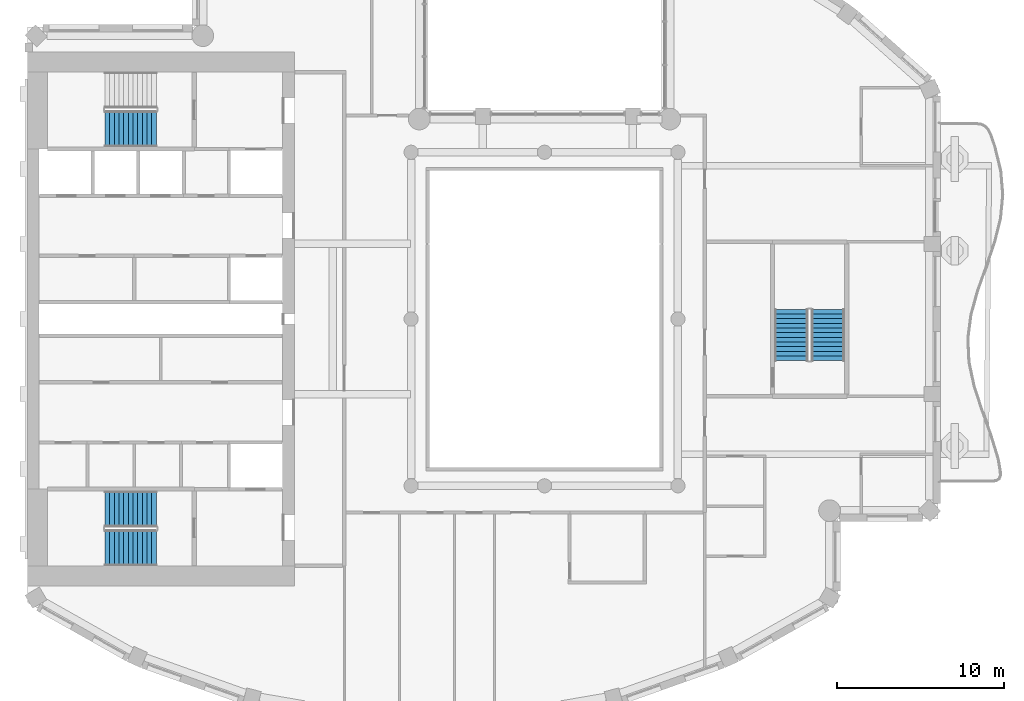
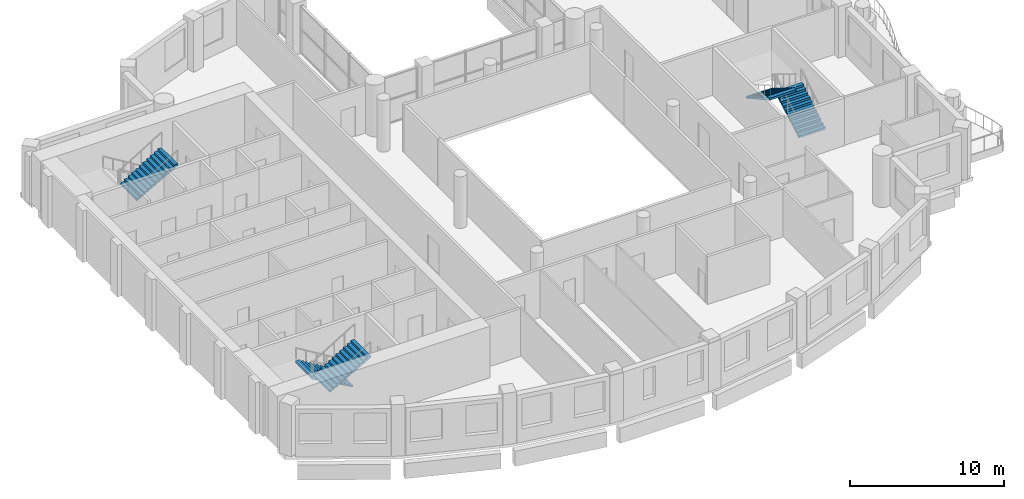
# One storey, part 8 of 14: 5 stair flights, 3 elements without a shape of their own.
"""IFC4 building model written with IfcOpenShell, lengths in metres."""

from ifc_helpers import new_model, si_unit, direction, frame, origin, place, context, subcontext, project, spatial, triangles, material, type_object, element, aggregate, save


model = new_model("IFC4")

# Units and contexts
model_context = context("Model", 3, precision=1e-05, world=origin(), true_north=direction((0.0, 1.0)))
body_context = subcontext(model_context, "Body", "Model", "MODEL_VIEW")
ifc_project = project(units=[si_unit("LENGTHUNIT", "METRE"), si_unit("AREAUNIT", "SQUARE_METRE"), si_unit("VOLUMEUNIT", "CUBIC_METRE"), si_unit("PLANEANGLEUNIT", "RADIAN"), si_unit("MASSUNIT", "GRAM", prefix="KILO")], contexts=[model_context])

# Site, building, storey
site_placement = place(None, origin())
site = spatial("IfcSite", under=ifc_project, at=site_placement, CompositionType="ELEMENT")
building_placement = place(site_placement, origin())
building = spatial("IfcBuilding", under=site, at=building_placement, Name="Cypress Arch Tower", CompositionType="ELEMENT")
storey_placement = place(building_placement, frame((0.0, 0.0, 296.699951171875)))
storey = spatial("IfcBuildingStorey", under=building, at=storey_placement, Name="L67", CompositionType="ELEMENT", Elevation=296.699951171875)

# Stair, stair flights
ifc_material_1 = material(Name="Concrete C40/50", Category="concrete")
stair_type_1 = type_object("IfcStairType", Name="Exit stair ES1708-200", PredefinedType="HALF_TURN_STAIR", material=ifc_material_1)
stair_1_placement = place(storey_placement, origin())
stair_1 = element("IfcStair", 1, at=stair_1_placement, inside=storey, type_object=stair_type_1, Name="L67 Exit stair C", PredefinedType="HALF_TURN_STAIR")
ifc_material_2 = material(Name="Concrete C40/50", Category="concrete")
stair_flight_type_1 = type_object("IfcStairFlightType", Name="Exit stair flight ES1708-200", PredefinedType="STRAIGHT", material=ifc_material_2)
stair_flight_1_placement = place(storey_placement, frame((18.0, -2.5, 0.0), z_axis=(0.0, 0.0, 1.0), x_axis=(0.0, 1.0, 0.0)))
stair_flight_1 = element("IfcStairFlight", 2, at=stair_flight_1_placement, type_object=stair_flight_type_1, Name="C flight 1", NumberOfRisers=12, NumberOfTreads=11, PredefinedType="STRAIGHT", RiserHeight=0.170833333, TreadLength=0.28, context=body_context, shape_type="Tessellation", body=[
    triangles([(0.0, -1.0, 0.0), (0.0, -1.0, 0.1708984375), (0.280029296875, -1.0, 0.1708984375), (0.280029296875, -1.0, 0.341552734375), (0.56005859375, -1.0, 0.341552734375), (0.56005859375, -1.0, 0.512451171875), (0.840087890625, -1.0, 0.512451171875), (0.840087890625, -1.0, 0.683349609375), (1.1201171875, -1.0, 0.683349609375), (1.1201171875, -1.0, 0.854248046875), (1.39990234375, -1.0, 0.854248046875), (1.39990234375, -1.0, 1.02490234375), (1.679931640625, -1.0, 1.02490234375), (1.679931640625, -1.0, 1.19580078125), (1.9599609375, -1.0, 1.19580078125), (1.9599609375, -1.0, 1.36669921875), (2.239990234375, -1.0, 1.36669921875), (2.239990234375, -1.0, 1.53759765625), (2.52001953125, -1.0, 1.53759765625), (2.52001953125, -1.0, 1.708251953125), (2.800048828125, -1.0, 1.708251953125), (2.800048828125, -1.0, 1.879150390625), (3.080078125, -1.0, 1.879150390625), (3.080078125, -1.0, 1.70361328125), (3.080078125, 1.0, 1.70361328125), (3.080078125, 1.0, 1.879150390625), (2.800048828125, 1.0, 1.879150390625), (2.800048828125, 1.0, 1.708251953125), (2.52001953125, 1.0, 1.708251953125), (2.52001953125, 1.0, 1.53759765625), (2.239990234375, 1.0, 1.53759765625), (2.239990234375, 1.0, 1.36669921875), (1.9599609375, 1.0, 1.36669921875), (1.9599609375, 1.0, 1.19580078125), (1.679931640625, 1.0, 1.19580078125), (1.679931640625, 1.0, 1.02490234375), (1.39990234375, 1.0, 1.02490234375), (1.39990234375, 1.0, 0.854248046875), (1.1201171875, 1.0, 0.854248046875), (1.1201171875, 1.0, 0.683349609375), (0.840087890625, 1.0, 0.683349609375), (0.840087890625, 1.0, 0.512451171875), (0.56005859375, 1.0, 0.512451171875), (0.56005859375, 1.0, 0.341552734375), (0.280029296875, 1.0, 0.341552734375), (0.280029296875, 1.0, 0.1708984375), (0.0, 1.0, 0.1708984375), (0.0, 1.0, 0.0), (3.080078125, 0.0, 1.879150390625), (3.080078125, 0.0, 1.70361328125), (2.800048828125, 0.0, 1.879150390625), (2.800048828125, 0.0, 1.708251953125), (2.52001953125, 0.0, 1.708251953125), (2.52001953125, 0.0, 1.53759765625), (2.239990234375, 0.0, 1.53759765625), (2.239990234375, 0.0, 1.36669921875), (1.9599609375, 0.0, 1.36669921875), (1.9599609375, 0.0, 1.19580078125), (1.679931640625, 0.0, 1.19580078125), (1.679931640625, 0.0, 1.02490234375), (1.39990234375, 0.0, 1.02490234375), (1.39990234375, 0.0, 0.854248046875), (1.1201171875, 0.0, 0.854248046875), (1.1201171875, 0.0, 0.683349609375), (0.840087890625, 0.0, 0.683349609375), (0.840087890625, 0.0, 0.512451171875), (0.56005859375, 0.0, 0.512451171875), (0.56005859375, 0.0, 0.341552734375), (0.280029296875, 0.0, 0.341552734375), (0.280029296875, 0.0, 0.1708984375), (0.0, 0.0, 0.1708984375), (0.0, 0.0, 0.0)], [[24, 23, 22], [11, 10, 9], [19, 18, 17], [17, 16, 15], [15, 14, 13], [9, 8, 7], [7, 6, 5], [3, 2, 1], [21, 20, 19], [13, 12, 11], [5, 4, 3], [24, 22, 21], [24, 21, 19], [24, 19, 17], [24, 17, 15], [24, 15, 13], [24, 13, 11], [24, 11, 9], [24, 9, 7], [24, 7, 5], [1, 24, 5], [5, 3, 1], [25, 27, 26], [38, 40, 39], [30, 32, 31], [32, 34, 33], [34, 36, 35], [40, 42, 41], [42, 44, 43], [46, 48, 47], [28, 30, 29], [36, 38, 37], [44, 46, 45], [25, 28, 27], [25, 30, 28], [25, 32, 30], [25, 34, 32], [25, 36, 34], [25, 38, 36], [25, 40, 38], [25, 42, 40], [25, 44, 42], [48, 44, 25], [44, 48, 46], [50, 49, 23], [50, 23, 24], [25, 26, 49], [25, 49, 50], [49, 51, 22], [49, 22, 23], [26, 27, 51], [26, 51, 49], [51, 52, 21], [51, 21, 22], [27, 28, 52], [27, 52, 51], [52, 53, 20], [52, 20, 21], [28, 29, 53], [28, 53, 52], [53, 54, 19], [53, 19, 20], [29, 30, 54], [29, 54, 53], [54, 55, 18], [54, 18, 19], [30, 31, 55], [30, 55, 54], [55, 56, 17], [55, 17, 18], [31, 32, 56], [31, 56, 55], [56, 57, 16], [56, 16, 17], [32, 33, 57], [32, 57, 56], [57, 58, 15], [57, 15, 16], [33, 34, 58], [33, 58, 57], [58, 59, 14], [58, 14, 15], [34, 35, 59], [34, 59, 58], [59, 60, 13], [59, 13, 14], [35, 36, 60], [35, 60, 59], [60, 61, 12], [60, 12, 13], [36, 37, 61], [36, 61, 60], [61, 62, 11], [61, 11, 12], [37, 38, 62], [37, 62, 61], [62, 63, 10], [62, 10, 11], [38, 39, 63], [38, 63, 62], [63, 64, 9], [63, 9, 10], [39, 40, 64], [39, 64, 63], [64, 65, 8], [64, 8, 9], [40, 41, 65], [40, 65, 64], [65, 66, 7], [65, 7, 8], [41, 42, 66], [41, 66, 65], [66, 67, 6], [66, 6, 7], [42, 43, 67], [42, 67, 66], [67, 68, 5], [67, 5, 6], [43, 44, 68], [43, 68, 67], [68, 69, 4], [68, 4, 5], [44, 45, 69], [44, 69, 68], [69, 70, 3], [69, 3, 4], [45, 46, 70], [45, 70, 69], [70, 71, 2], [70, 2, 3], [46, 47, 71], [46, 71, 70], [71, 72, 1], [71, 1, 2], [47, 48, 72], [47, 72, 71], [72, 50, 24], [72, 24, 1], [48, 25, 50], [48, 50, 72]], closed=True),
])
stair_flight_2_placement = place(storey_placement, frame((15.800048828125, 0.580078125, 2.050048828125), z_axis=(0.0, 0.0, 1.0), x_axis=(0.0, -1.0, 0.0)))
stair_flight_2 = element("IfcStairFlight", 3, at=stair_flight_2_placement, type_object=stair_flight_type_1, Name="C flight 2", NumberOfRisers=12, NumberOfTreads=11, PredefinedType="STRAIGHT", RiserHeight=0.170833333, TreadLength=0.28, context=body_context, shape_type="Tessellation", body=[
    triangles([(0.0, -1.0, 0.0), (0.0, -1.0, 0.1708984375), (0.280029296875, -1.0, 0.1708984375), (0.280029296875, -1.0, 0.341552734375), (0.56005859375, -1.0, 0.341552734375), (0.56005859375, -1.0, 0.512451171875), (0.840087890625, -1.0, 0.512451171875), (0.840087890625, -1.0, 0.683349609375), (1.1201171875, -1.0, 0.683349609375), (1.1201171875, -1.0, 0.854248046875), (1.39990234375, -1.0, 0.854248046875), (1.39990234375, -1.0, 1.02490234375), (1.679931640625, -1.0, 1.02490234375), (1.679931640625, -1.0, 1.19580078125), (1.9599609375, -1.0, 1.19580078125), (1.9599609375, -1.0, 1.36669921875), (2.239990234375, -1.0, 1.36669921875), (2.239990234375, -1.0, 1.53759765625), (2.52001953125, -1.0, 1.53759765625), (2.52001953125, -1.0, 1.708251953125), (2.800048828125, -1.0, 1.708251953125), (2.800048828125, -1.0, 1.879150390625), (3.080078125, -1.0, 1.879150390625), (3.080078125, -1.0, 1.70361328125), (3.080078125, 1.0, 1.70361328125), (3.080078125, 1.0, 1.879150390625), (2.800048828125, 1.0, 1.879150390625), (2.800048828125, 1.0, 1.708251953125), (2.52001953125, 1.0, 1.708251953125), (2.52001953125, 1.0, 1.53759765625), (2.239990234375, 1.0, 1.53759765625), (2.239990234375, 1.0, 1.36669921875), (1.9599609375, 1.0, 1.36669921875), (1.9599609375, 1.0, 1.19580078125), (1.679931640625, 1.0, 1.19580078125), (1.679931640625, 1.0, 1.02490234375), (1.39990234375, 1.0, 1.02490234375), (1.39990234375, 1.0, 0.854248046875), (1.1201171875, 1.0, 0.854248046875), (1.1201171875, 1.0, 0.683349609375), (0.840087890625, 1.0, 0.683349609375), (0.840087890625, 1.0, 0.512451171875), (0.56005859375, 1.0, 0.512451171875), (0.56005859375, 1.0, 0.341552734375), (0.280029296875, 1.0, 0.341552734375), (0.280029296875, 1.0, 0.1708984375), (0.0, 1.0, 0.1708984375), (0.0, 1.0, 0.0), (3.080078125, 0.0, 1.879150390625), (3.080078125, 0.0, 1.70361328125), (2.800048828125, 0.0, 1.879150390625), (2.800048828125, 0.0, 1.708251953125), (2.52001953125, 0.0, 1.708251953125), (2.52001953125, 0.0, 1.53759765625), (2.239990234375, 0.0, 1.53759765625), (2.239990234375, 0.0, 1.36669921875), (1.9599609375, 0.0, 1.36669921875), (1.9599609375, 0.0, 1.19580078125), (1.679931640625, 0.0, 1.19580078125), (1.679931640625, 0.0, 1.02490234375), (1.39990234375, 0.0, 1.02490234375), (1.39990234375, 0.0, 0.854248046875), (1.1201171875, 0.0, 0.854248046875), (1.1201171875, 0.0, 0.683349609375), (0.840087890625, 0.0, 0.683349609375), (0.840087890625, 0.0, 0.512451171875), (0.56005859375, 0.0, 0.512451171875), (0.56005859375, 0.0, 0.341552734375), (0.280029296875, 0.0, 0.341552734375), (0.280029296875, 0.0, 0.1708984375), (0.0, 0.0, 0.1708984375), (0.0, 0.0, 0.0)], [[24, 23, 22], [11, 10, 9], [19, 18, 17], [17, 16, 15], [15, 14, 13], [9, 8, 7], [7, 6, 5], [3, 2, 1], [21, 20, 19], [13, 12, 11], [5, 4, 3], [24, 22, 21], [24, 21, 19], [24, 19, 17], [24, 17, 15], [24, 15, 13], [24, 13, 11], [24, 11, 9], [24, 9, 7], [24, 7, 5], [1, 24, 5], [5, 3, 1], [25, 27, 26], [38, 40, 39], [30, 32, 31], [32, 34, 33], [34, 36, 35], [40, 42, 41], [42, 44, 43], [46, 48, 47], [28, 30, 29], [36, 38, 37], [44, 46, 45], [25, 28, 27], [25, 30, 28], [25, 32, 30], [25, 34, 32], [25, 36, 34], [25, 38, 36], [25, 40, 38], [25, 42, 40], [25, 44, 42], [48, 44, 25], [44, 48, 46], [50, 49, 23], [50, 23, 24], [25, 26, 49], [25, 49, 50], [49, 51, 22], [49, 22, 23], [26, 27, 51], [26, 51, 49], [51, 52, 21], [51, 21, 22], [27, 28, 52], [27, 52, 51], [52, 53, 20], [52, 20, 21], [28, 29, 53], [28, 53, 52], [53, 54, 19], [53, 19, 20], [29, 30, 54], [29, 54, 53], [54, 55, 18], [54, 18, 19], [30, 31, 55], [30, 55, 54], [55, 56, 17], [55, 17, 18], [31, 32, 56], [31, 56, 55], [56, 57, 16], [56, 16, 17], [32, 33, 57], [32, 57, 56], [57, 58, 15], [57, 15, 16], [33, 34, 58], [33, 58, 57], [58, 59, 14], [58, 14, 15], [34, 35, 59], [34, 59, 58], [59, 60, 13], [59, 13, 14], [35, 36, 60], [35, 60, 59], [60, 61, 12], [60, 12, 13], [36, 37, 61], [36, 61, 60], [61, 62, 11], [61, 11, 12], [37, 38, 62], [37, 62, 61], [62, 63, 10], [62, 10, 11], [38, 39, 63], [38, 63, 62], [63, 64, 9], [63, 9, 10], [39, 40, 64], [39, 64, 63], [64, 65, 8], [64, 8, 9], [40, 41, 65], [40, 65, 64], [65, 66, 7], [65, 7, 8], [41, 42, 66], [41, 66, 65], [66, 67, 6], [66, 6, 7], [42, 43, 67], [42, 67, 66], [67, 68, 5], [67, 5, 6], [43, 44, 68], [43, 68, 67], [68, 69, 4], [68, 4, 5], [44, 45, 69], [44, 69, 68], [69, 70, 3], [69, 3, 4], [45, 46, 70], [45, 70, 69], [70, 71, 2], [70, 2, 3], [46, 47, 71], [46, 71, 70], [71, 72, 1], [71, 1, 2], [47, 48, 72], [47, 72, 71], [72, 50, 24], [72, 24, 1], [48, 25, 50], [48, 50, 72]], closed=True),
])
aggregate(stair_1, [stair_flight_1, stair_flight_2])

ifc_material_3 = material(Name="Concrete C40/50", Category="concrete")
stair_type_2 = type_object("IfcStairType", Name="Exit stair ES1708-215", PredefinedType="HALF_TURN_STAIR", material=ifc_material_3)
stair_2_placement = place(storey_placement, origin())
stair_2 = element("IfcStair", 4, at=stair_2_placement, inside=storey, type_object=stair_type_2, Name="L67 Exit stair A", PredefinedType="HALF_TURN_STAIR")
ifc_material_4 = material(Name="Concrete C40/50", Category="concrete")
stair_flight_type_2 = type_object("IfcStairFlightType", Name="Exit stair flight ES1708-215", PredefinedType="STRAIGHT", material=ifc_material_4)
stair_flight_3_placement = place(storey_placement, frame((-22.27490234375, -11.39990234375, 0.0), z_axis=(0.0, 0.0, 1.0), x_axis=(-1.0, 0.0, 0.0)))
stair_flight_3 = element("IfcStairFlight", 5, at=stair_flight_3_placement, type_object=stair_flight_type_2, Name="A flight 1", NumberOfRisers=12, NumberOfTreads=11, PredefinedType="STRAIGHT", RiserHeight=0.170833333, TreadLength=0.28, context=body_context, shape_type="Tessellation", body=[
    triangles([(0.0, -1.074951171875, 0.0), (0.000244140625, -1.074951171875, 0.01904296875), (0.000244140625, -1.074951171875, 0.0380859375), (0.00048828125, -1.074951171875, 0.056884765625), (0.00048828125, -1.074951171875, 0.075927734375), (0.00048828125, -1.074951171875, 0.094970703125), (0.00048828125, -1.074951171875, 0.114013671875), (0.000244140625, -1.074951171875, 0.1328125), (0.000244140625, -1.074951171875, 0.15185546875), (0.0, -1.074951171875, 0.1708984375), (0.280029296875, -1.074951171875, 0.1708984375), (0.280029296875, -1.074951171875, 0.341552734375), (0.56005859375, -1.074951171875, 0.341552734375), (0.56005859375, -1.074951171875, 0.512451171875), (0.840087890625, -1.074951171875, 0.512451171875), (0.840087890625, -1.074951171875, 0.683349609375), (1.1201171875, -1.074951171875, 0.683349609375), (1.1201171875, -1.074951171875, 0.854248046875), (1.39990234375, -1.074951171875, 0.854248046875), (1.39990234375, -1.074951171875, 1.02490234375), (1.679931640625, -1.074951171875, 1.02490234375), (1.679931640625, -1.074951171875, 1.19580078125), (1.9599609375, -1.074951171875, 1.19580078125), (1.9599609375, -1.074951171875, 1.36669921875), (2.239990234375, -1.074951171875, 1.36669921875), (2.239990234375, -1.074951171875, 1.53759765625), (2.52001953125, -1.074951171875, 1.53759765625), (2.52001953125, -1.074951171875, 1.708251953125), (2.800048828125, -1.074951171875, 1.708251953125), (2.800048828125, -1.074951171875, 1.879150390625), (3.080078125, -1.074951171875, 1.879150390625), (3.079833984375, -1.074951171875, 1.859619140625), (3.079833984375, -1.074951171875, 1.840087890625), (3.07958984375, -1.074951171875, 1.820556640625), (3.07958984375, -1.074951171875, 1.801025390625), (3.07958984375, -1.074951171875, 1.78173828125), (3.07958984375, -1.074951171875, 1.76220703125), (3.079833984375, -1.074951171875, 1.74267578125), (3.079833984375, -1.074951171875, 1.72314453125), (3.080078125, -1.074951171875, 1.70361328125), (3.080078125, 1.074951171875, 1.70361328125), (3.079833984375, 1.074951171875, 1.72314453125), (3.079833984375, 1.074951171875, 1.74267578125), (3.07958984375, 1.074951171875, 1.76220703125), (3.07958984375, 1.074951171875, 1.78173828125), (3.07958984375, 1.074951171875, 1.801025390625), (3.07958984375, 1.074951171875, 1.820556640625), (3.079833984375, 1.074951171875, 1.840087890625), (3.079833984375, 1.074951171875, 1.859619140625), (3.080078125, 1.074951171875, 1.879150390625), (2.800048828125, 1.074951171875, 1.879150390625), (2.800048828125, 1.074951171875, 1.708251953125), (2.52001953125, 1.074951171875, 1.708251953125), (2.52001953125, 1.074951171875, 1.53759765625), (2.239990234375, 1.074951171875, 1.53759765625), (2.239990234375, 1.074951171875, 1.36669921875), (1.9599609375, 1.074951171875, 1.36669921875), (1.9599609375, 1.074951171875, 1.19580078125), (1.679931640625, 1.074951171875, 1.19580078125), (1.679931640625, 1.074951171875, 1.02490234375), (1.39990234375, 1.074951171875, 1.02490234375), (1.39990234375, 1.074951171875, 0.854248046875), (1.1201171875, 1.074951171875, 0.854248046875), (1.1201171875, 1.074951171875, 0.683349609375), (0.840087890625, 1.074951171875, 0.683349609375), (0.840087890625, 1.074951171875, 0.512451171875), (0.56005859375, 1.074951171875, 0.512451171875), (0.56005859375, 1.074951171875, 0.341552734375), (0.280029296875, 1.074951171875, 0.341552734375), (0.280029296875, 1.074951171875, 0.1708984375), (0.0, 1.074951171875, 0.1708984375), (0.000244140625, 1.074951171875, 0.15185546875), (0.000244140625, 1.074951171875, 0.1328125), (0.00048828125, 1.074951171875, 0.114013671875), (0.00048828125, 1.074951171875, 0.094970703125), (0.00048828125, 1.074951171875, 0.075927734375), (0.00048828125, 1.074951171875, 0.056884765625), (0.000244140625, 1.074951171875, 0.0380859375), (0.000244140625, 1.074951171875, 0.01904296875), (0.0, 1.074951171875, 0.0)], [[40, 39, 30], [39, 38, 30], [38, 37, 30], [37, 36, 30], [36, 35, 30], [35, 34, 30], [34, 33, 30], [33, 32, 30], [32, 31, 30], [19, 18, 17], [27, 26, 25], [25, 24, 23], [23, 22, 21], [17, 16, 15], [15, 14, 13], [10, 9, 11], [9, 8, 11], [8, 7, 11], [7, 6, 11], [6, 5, 11], [5, 4, 11], [4, 3, 11], [3, 2, 11], [2, 1, 11], [29, 28, 27], [21, 20, 19], [13, 12, 11], [40, 30, 29], [40, 29, 27], [40, 27, 25], [40, 25, 23], [40, 23, 21], [40, 21, 19], [40, 19, 17], [40, 17, 15], [40, 15, 13], [1, 40, 13], [13, 11, 1], [41, 51, 42], [42, 51, 43], [43, 51, 44], [44, 51, 45], [45, 51, 46], [46, 51, 47], [47, 51, 48], [48, 51, 49], [49, 51, 50], [62, 64, 63], [54, 56, 55], [56, 58, 57], [58, 60, 59], [64, 66, 65], [66, 68, 67], [71, 70, 72], [72, 70, 73], [73, 70, 74], [74, 70, 75], [75, 70, 76], [76, 70, 77], [77, 70, 78], [78, 70, 79], [79, 70, 80], [52, 54, 53], [60, 62, 61], [68, 70, 69], [41, 52, 51], [41, 54, 52], [41, 56, 54], [41, 58, 56], [41, 60, 58], [41, 62, 60], [41, 64, 62], [41, 66, 64], [41, 68, 66], [80, 68, 41], [68, 80, 70], [41, 42, 39], [41, 39, 40], [42, 43, 38], [42, 38, 39], [43, 44, 37], [43, 37, 38], [44, 45, 36], [44, 36, 37], [45, 46, 35], [45, 35, 36], [46, 47, 34], [46, 34, 35], [47, 48, 33], [47, 33, 34], [48, 49, 32], [48, 32, 33], [49, 50, 31], [49, 31, 32], [50, 51, 30], [50, 30, 31], [51, 52, 29], [51, 29, 30], [52, 53, 28], [52, 28, 29], [53, 54, 27], [53, 27, 28], [54, 55, 26], [54, 26, 27], [55, 56, 25], [55, 25, 26], [56, 57, 24], [56, 24, 25], [57, 58, 23], [57, 23, 24], [58, 59, 22], [58, 22, 23], [59, 60, 21], [59, 21, 22], [60, 61, 20], [60, 20, 21], [61, 62, 19], [61, 19, 20], [62, 63, 18], [62, 18, 19], [63, 64, 17], [63, 17, 18], [64, 65, 16], [64, 16, 17], [65, 66, 15], [65, 15, 16], [66, 67, 14], [66, 14, 15], [67, 68, 13], [67, 13, 14], [68, 69, 12], [68, 12, 13], [69, 70, 11], [69, 11, 12], [70, 71, 10], [70, 10, 11], [71, 72, 9], [71, 9, 10], [72, 73, 8], [72, 8, 9], [73, 74, 7], [73, 7, 8], [74, 75, 6], [74, 6, 7], [75, 76, 5], [75, 5, 6], [76, 77, 4], [76, 4, 5], [77, 78, 3], [77, 3, 4], [78, 79, 2], [78, 2, 3], [79, 80, 1], [79, 1, 2], [80, 41, 40], [80, 40, 1]], closed=True),
])
stair_flight_4_placement = place(storey_placement, frame((-25.35498046875, -13.72509765625, 2.050048828125), z_axis=(0.0, 0.0, 1.0), x_axis=(1.0, 0.0, 0.0)))
stair_flight_4 = element("IfcStairFlight", 6, at=stair_flight_4_placement, type_object=stair_flight_type_2, Name="A flight 2", NumberOfRisers=12, NumberOfTreads=11, PredefinedType="STRAIGHT", RiserHeight=0.170833333, TreadLength=0.28, context=body_context, shape_type="Tessellation", body=[
    triangles([(0.0, -1.074951171875, 0.0), (0.000244140625, -1.074951171875, 0.01904296875), (0.000244140625, -1.074951171875, 0.0380859375), (0.00048828125, -1.074951171875, 0.056884765625), (0.00048828125, -1.074951171875, 0.075927734375), (0.00048828125, -1.074951171875, 0.094970703125), (0.00048828125, -1.074951171875, 0.114013671875), (0.000244140625, -1.074951171875, 0.1328125), (0.000244140625, -1.074951171875, 0.15185546875), (0.0, -1.074951171875, 0.1708984375), (0.280029296875, -1.074951171875, 0.1708984375), (0.280029296875, -1.074951171875, 0.341552734375), (0.56005859375, -1.074951171875, 0.341552734375), (0.56005859375, -1.074951171875, 0.512451171875), (0.840087890625, -1.074951171875, 0.512451171875), (0.840087890625, -1.074951171875, 0.683349609375), (1.1201171875, -1.074951171875, 0.683349609375), (1.1201171875, -1.074951171875, 0.854248046875), (1.39990234375, -1.074951171875, 0.854248046875), (1.39990234375, -1.074951171875, 1.02490234375), (1.679931640625, -1.074951171875, 1.02490234375), (1.679931640625, -1.074951171875, 1.19580078125), (1.9599609375, -1.074951171875, 1.19580078125), (1.9599609375, -1.074951171875, 1.36669921875), (2.239990234375, -1.074951171875, 1.36669921875), (2.239990234375, -1.074951171875, 1.53759765625), (2.52001953125, -1.074951171875, 1.53759765625), (2.52001953125, -1.074951171875, 1.708251953125), (2.800048828125, -1.074951171875, 1.708251953125), (2.800048828125, -1.074951171875, 1.879150390625), (3.080078125, -1.074951171875, 1.879150390625), (3.079833984375, -1.074951171875, 1.859619140625), (3.079833984375, -1.074951171875, 1.840087890625), (3.07958984375, -1.074951171875, 1.820556640625), (3.07958984375, -1.074951171875, 1.801025390625), (3.07958984375, -1.074951171875, 1.78173828125), (3.07958984375, -1.074951171875, 1.76220703125), (3.079833984375, -1.074951171875, 1.74267578125), (3.079833984375, -1.074951171875, 1.72314453125), (3.080078125, -1.074951171875, 1.70361328125), (3.080078125, 1.074951171875, 1.70361328125), (3.079833984375, 1.074951171875, 1.72314453125), (3.079833984375, 1.074951171875, 1.74267578125), (3.07958984375, 1.074951171875, 1.76220703125), (3.07958984375, 1.074951171875, 1.78173828125), (3.07958984375, 1.074951171875, 1.801025390625), (3.07958984375, 1.074951171875, 1.820556640625), (3.079833984375, 1.074951171875, 1.840087890625), (3.079833984375, 1.074951171875, 1.859619140625), (3.080078125, 1.074951171875, 1.879150390625), (2.800048828125, 1.074951171875, 1.879150390625), (2.800048828125, 1.074951171875, 1.708251953125), (2.52001953125, 1.074951171875, 1.708251953125), (2.52001953125, 1.074951171875, 1.53759765625), (2.239990234375, 1.074951171875, 1.53759765625), (2.239990234375, 1.074951171875, 1.36669921875), (1.9599609375, 1.074951171875, 1.36669921875), (1.9599609375, 1.074951171875, 1.19580078125), (1.679931640625, 1.074951171875, 1.19580078125), (1.679931640625, 1.074951171875, 1.02490234375), (1.39990234375, 1.074951171875, 1.02490234375), (1.39990234375, 1.074951171875, 0.854248046875), (1.1201171875, 1.074951171875, 0.854248046875), (1.1201171875, 1.074951171875, 0.683349609375), (0.840087890625, 1.074951171875, 0.683349609375), (0.840087890625, 1.074951171875, 0.512451171875), (0.56005859375, 1.074951171875, 0.512451171875), (0.56005859375, 1.074951171875, 0.341552734375), (0.280029296875, 1.074951171875, 0.341552734375), (0.280029296875, 1.074951171875, 0.1708984375), (0.0, 1.074951171875, 0.1708984375), (0.000244140625, 1.074951171875, 0.15185546875), (0.000244140625, 1.074951171875, 0.1328125), (0.00048828125, 1.074951171875, 0.114013671875), (0.00048828125, 1.074951171875, 0.094970703125), (0.00048828125, 1.074951171875, 0.075927734375), (0.00048828125, 1.074951171875, 0.056884765625), (0.000244140625, 1.074951171875, 0.0380859375), (0.000244140625, 1.074951171875, 0.01904296875), (0.0, 1.074951171875, 0.0)], [[40, 39, 30], [39, 38, 30], [38, 37, 30], [37, 36, 30], [36, 35, 30], [35, 34, 30], [34, 33, 30], [33, 32, 30], [32, 31, 30], [19, 18, 17], [27, 26, 25], [25, 24, 23], [23, 22, 21], [17, 16, 15], [15, 14, 13], [10, 9, 11], [9, 8, 11], [8, 7, 11], [7, 6, 11], [6, 5, 11], [5, 4, 11], [4, 3, 11], [3, 2, 11], [2, 1, 11], [29, 28, 27], [21, 20, 19], [13, 12, 11], [40, 30, 29], [40, 29, 27], [40, 27, 25], [40, 25, 23], [40, 23, 21], [40, 21, 19], [40, 19, 17], [40, 17, 15], [40, 15, 13], [1, 40, 13], [13, 11, 1], [41, 51, 42], [42, 51, 43], [43, 51, 44], [44, 51, 45], [45, 51, 46], [46, 51, 47], [47, 51, 48], [48, 51, 49], [49, 51, 50], [62, 64, 63], [54, 56, 55], [56, 58, 57], [58, 60, 59], [64, 66, 65], [66, 68, 67], [71, 70, 72], [72, 70, 73], [73, 70, 74], [74, 70, 75], [75, 70, 76], [76, 70, 77], [77, 70, 78], [78, 70, 79], [79, 70, 80], [52, 54, 53], [60, 62, 61], [68, 70, 69], [41, 52, 51], [41, 54, 52], [41, 56, 54], [41, 58, 56], [41, 60, 58], [41, 62, 60], [41, 64, 62], [41, 66, 64], [41, 68, 66], [80, 68, 41], [68, 80, 70], [41, 42, 39], [41, 39, 40], [42, 43, 38], [42, 38, 39], [43, 44, 37], [43, 37, 38], [44, 45, 36], [44, 36, 37], [45, 46, 35], [45, 35, 36], [46, 47, 34], [46, 34, 35], [47, 48, 33], [47, 33, 34], [48, 49, 32], [48, 32, 33], [49, 50, 31], [49, 31, 32], [50, 51, 30], [50, 30, 31], [51, 52, 29], [51, 29, 30], [52, 53, 28], [52, 28, 29], [53, 54, 27], [53, 27, 28], [54, 55, 26], [54, 26, 27], [55, 56, 25], [55, 25, 26], [56, 57, 24], [56, 24, 25], [57, 58, 23], [57, 23, 24], [58, 59, 22], [58, 22, 23], [59, 60, 21], [59, 21, 22], [60, 61, 20], [60, 20, 21], [61, 62, 19], [61, 19, 20], [62, 63, 18], [62, 18, 19], [63, 64, 17], [63, 17, 18], [64, 65, 16], [64, 16, 17], [65, 66, 15], [65, 15, 16], [66, 67, 14], [66, 14, 15], [67, 68, 13], [67, 13, 14], [68, 69, 12], [68, 12, 13], [69, 70, 11], [69, 11, 12], [70, 71, 10], [70, 10, 11], [71, 72, 9], [71, 9, 10], [72, 73, 8], [72, 8, 9], [73, 74, 7], [73, 7, 8], [74, 75, 6], [74, 6, 7], [75, 76, 5], [75, 5, 6], [76, 77, 4], [76, 4, 5], [77, 78, 3], [77, 3, 4], [78, 79, 2], [78, 2, 3], [79, 80, 1], [79, 1, 2], [80, 41, 40], [80, 40, 1]], closed=True),
])
aggregate(stair_2, [stair_flight_3, stair_flight_4])

# Stair, stair flight
stair_3_placement = place(storey_placement, origin())
stair_3 = element("IfcStair", 7, at=stair_3_placement, inside=storey, type_object=stair_type_2, Name="L67 Exit stair B", PredefinedType="HALF_TURN_STAIR")
stair_flight_5_placement = place(storey_placement, frame((-25.35498046875, 11.39990234375, 2.050048828125), z_axis=(0.0, 0.0, 1.0), x_axis=(1.0, 0.0, 0.0)))
stair_flight_5 = element("IfcStairFlight", 8, at=stair_flight_5_placement, type_object=stair_flight_type_2, Name="B flight 2", NumberOfRisers=12, NumberOfTreads=11, PredefinedType="STRAIGHT", RiserHeight=0.170833333, TreadLength=0.28, context=body_context, shape_type="Tessellation", body=[
    triangles([(0.0, -1.074951171875, 0.0), (0.000244140625, -1.074951171875, 0.01904296875), (0.000244140625, -1.074951171875, 0.0380859375), (0.00048828125, -1.074951171875, 0.056884765625), (0.00048828125, -1.074951171875, 0.075927734375), (0.00048828125, -1.074951171875, 0.094970703125), (0.00048828125, -1.074951171875, 0.114013671875), (0.000244140625, -1.074951171875, 0.1328125), (0.000244140625, -1.074951171875, 0.15185546875), (0.0, -1.074951171875, 0.1708984375), (0.280029296875, -1.074951171875, 0.1708984375), (0.280029296875, -1.074951171875, 0.341552734375), (0.56005859375, -1.074951171875, 0.341552734375), (0.56005859375, -1.074951171875, 0.512451171875), (0.840087890625, -1.074951171875, 0.512451171875), (0.840087890625, -1.074951171875, 0.683349609375), (1.1201171875, -1.074951171875, 0.683349609375), (1.1201171875, -1.074951171875, 0.854248046875), (1.39990234375, -1.074951171875, 0.854248046875), (1.39990234375, -1.074951171875, 1.02490234375), (1.679931640625, -1.074951171875, 1.02490234375), (1.679931640625, -1.074951171875, 1.19580078125), (1.9599609375, -1.074951171875, 1.19580078125), (1.9599609375, -1.074951171875, 1.36669921875), (2.239990234375, -1.074951171875, 1.36669921875), (2.239990234375, -1.074951171875, 1.53759765625), (2.52001953125, -1.074951171875, 1.53759765625), (2.52001953125, -1.074951171875, 1.708251953125), (2.800048828125, -1.074951171875, 1.708251953125), (2.800048828125, -1.074951171875, 1.879150390625), (3.080078125, -1.074951171875, 1.879150390625), (3.079833984375, -1.074951171875, 1.859619140625), (3.079833984375, -1.074951171875, 1.840087890625), (3.07958984375, -1.074951171875, 1.820556640625), (3.07958984375, -1.074951171875, 1.801025390625), (3.07958984375, -1.074951171875, 1.78173828125), (3.07958984375, -1.074951171875, 1.76220703125), (3.079833984375, -1.074951171875, 1.74267578125), (3.079833984375, -1.074951171875, 1.72314453125), (3.080078125, -1.074951171875, 1.70361328125), (3.080078125, 1.074951171875, 1.70361328125), (3.079833984375, 1.074951171875, 1.72314453125), (3.079833984375, 1.074951171875, 1.74267578125), (3.07958984375, 1.074951171875, 1.76220703125), (3.07958984375, 1.074951171875, 1.78173828125), (3.07958984375, 1.074951171875, 1.801025390625), (3.07958984375, 1.074951171875, 1.820556640625), (3.079833984375, 1.074951171875, 1.840087890625), (3.079833984375, 1.074951171875, 1.859619140625), (3.080078125, 1.074951171875, 1.879150390625), (2.800048828125, 1.074951171875, 1.879150390625), (2.800048828125, 1.074951171875, 1.708251953125), (2.52001953125, 1.074951171875, 1.708251953125), (2.52001953125, 1.074951171875, 1.53759765625), (2.239990234375, 1.074951171875, 1.53759765625), (2.239990234375, 1.074951171875, 1.36669921875), (1.9599609375, 1.074951171875, 1.36669921875), (1.9599609375, 1.074951171875, 1.19580078125), (1.679931640625, 1.074951171875, 1.19580078125), (1.679931640625, 1.074951171875, 1.02490234375), (1.39990234375, 1.074951171875, 1.02490234375), (1.39990234375, 1.074951171875, 0.854248046875), (1.1201171875, 1.074951171875, 0.854248046875), (1.1201171875, 1.074951171875, 0.683349609375), (0.840087890625, 1.074951171875, 0.683349609375), (0.840087890625, 1.074951171875, 0.512451171875), (0.56005859375, 1.074951171875, 0.512451171875), (0.56005859375, 1.074951171875, 0.341552734375), (0.280029296875, 1.074951171875, 0.341552734375), (0.280029296875, 1.074951171875, 0.1708984375), (0.0, 1.074951171875, 0.1708984375), (0.000244140625, 1.074951171875, 0.15185546875), (0.000244140625, 1.074951171875, 0.1328125), (0.00048828125, 1.074951171875, 0.114013671875), (0.00048828125, 1.074951171875, 0.094970703125), (0.00048828125, 1.074951171875, 0.075927734375), (0.00048828125, 1.074951171875, 0.056884765625), (0.000244140625, 1.074951171875, 0.0380859375), (0.000244140625, 1.074951171875, 0.01904296875), (0.0, 1.074951171875, 0.0)], [[40, 39, 30], [39, 38, 30], [38, 37, 30], [37, 36, 30], [36, 35, 30], [35, 34, 30], [34, 33, 30], [33, 32, 30], [32, 31, 30], [19, 18, 17], [27, 26, 25], [25, 24, 23], [23, 22, 21], [17, 16, 15], [15, 14, 13], [10, 9, 11], [9, 8, 11], [8, 7, 11], [7, 6, 11], [6, 5, 11], [5, 4, 11], [4, 3, 11], [3, 2, 11], [2, 1, 11], [29, 28, 27], [21, 20, 19], [13, 12, 11], [40, 30, 29], [40, 29, 27], [40, 27, 25], [40, 25, 23], [40, 23, 21], [40, 21, 19], [40, 19, 17], [40, 17, 15], [40, 15, 13], [1, 40, 13], [13, 11, 1], [41, 51, 42], [42, 51, 43], [43, 51, 44], [44, 51, 45], [45, 51, 46], [46, 51, 47], [47, 51, 48], [48, 51, 49], [49, 51, 50], [62, 64, 63], [54, 56, 55], [56, 58, 57], [58, 60, 59], [64, 66, 65], [66, 68, 67], [71, 70, 72], [72, 70, 73], [73, 70, 74], [74, 70, 75], [75, 70, 76], [76, 70, 77], [77, 70, 78], [78, 70, 79], [79, 70, 80], [52, 54, 53], [60, 62, 61], [68, 70, 69], [41, 52, 51], [41, 54, 52], [41, 56, 54], [41, 58, 56], [41, 60, 58], [41, 62, 60], [41, 64, 62], [41, 66, 64], [41, 68, 66], [80, 68, 41], [68, 80, 70], [41, 42, 39], [41, 39, 40], [42, 43, 38], [42, 38, 39], [43, 44, 37], [43, 37, 38], [44, 45, 36], [44, 36, 37], [45, 46, 35], [45, 35, 36], [46, 47, 34], [46, 34, 35], [47, 48, 33], [47, 33, 34], [48, 49, 32], [48, 32, 33], [49, 50, 31], [49, 31, 32], [50, 51, 30], [50, 30, 31], [51, 52, 29], [51, 29, 30], [52, 53, 28], [52, 28, 29], [53, 54, 27], [53, 27, 28], [54, 55, 26], [54, 26, 27], [55, 56, 25], [55, 25, 26], [56, 57, 24], [56, 24, 25], [57, 58, 23], [57, 23, 24], [58, 59, 22], [58, 22, 23], [59, 60, 21], [59, 21, 22], [60, 61, 20], [60, 20, 21], [61, 62, 19], [61, 19, 20], [62, 63, 18], [62, 18, 19], [63, 64, 17], [63, 17, 18], [64, 65, 16], [64, 16, 17], [65, 66, 15], [65, 15, 16], [66, 67, 14], [66, 14, 15], [67, 68, 13], [67, 13, 14], [68, 69, 12], [68, 12, 13], [69, 70, 11], [69, 11, 12], [70, 71, 10], [70, 10, 11], [71, 72, 9], [71, 9, 10], [72, 73, 8], [72, 8, 9], [73, 74, 7], [73, 7, 8], [74, 75, 6], [74, 6, 7], [75, 76, 5], [75, 5, 6], [76, 77, 4], [76, 4, 5], [77, 78, 3], [77, 3, 4], [78, 79, 2], [78, 2, 3], [79, 80, 1], [79, 1, 2], [80, 41, 40], [80, 40, 1]], closed=True),
])
aggregate(stair_3, [stair_flight_5])

save(model, "model.ifc")
